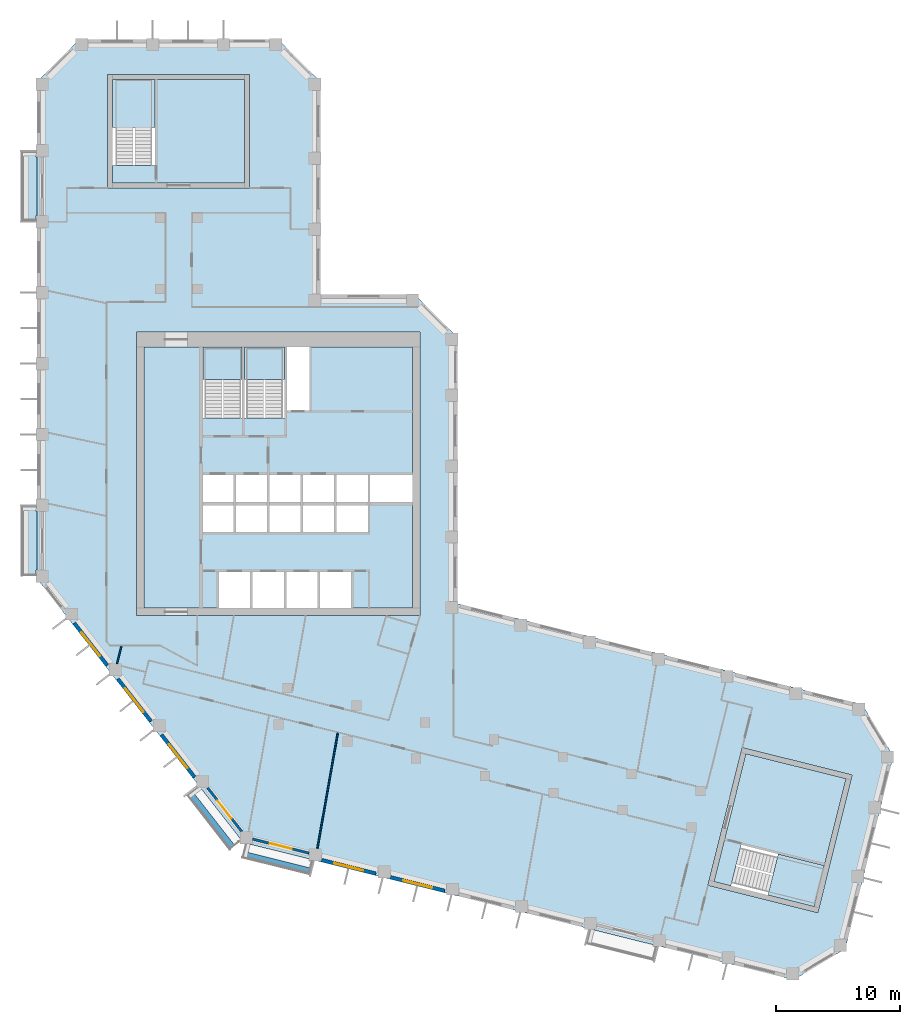
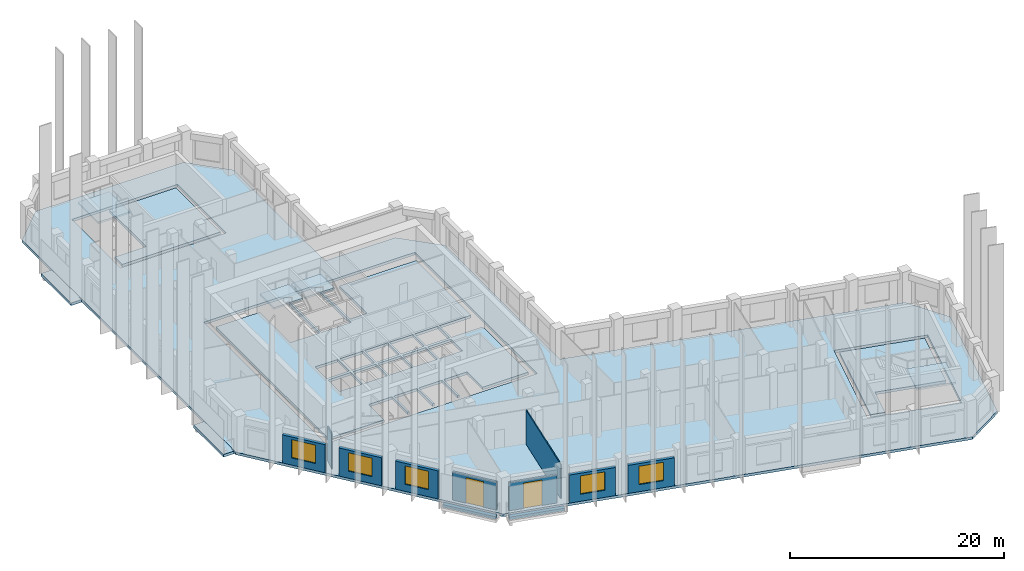
# One storey, part 2 of 9: 11 walls, 10 slabs, 5 windows, 2 doors, 7 openings, 4 elements without a shape of their own.
"""IFC4 building model written with IfcOpenShell, lengths in metres."""

from ifc_helpers import new_model, si_unit, direction, frame, frame_2d, origin, place, context, subcontext, project, spatial, polyline, rectangle, outline, extrude, material, layer, layer_set, type_object, element, fill, aggregate, save


model = new_model("IFC4")

# Units and contexts
model_context = context("Model", 3, precision=1e-05, world=origin(), true_north=direction((0.0, 1.0)))
body_context = subcontext(model_context, "Body", "Model", "MODEL_VIEW")
ifc_project = project(units=[si_unit("LENGTHUNIT", "METRE"), si_unit("AREAUNIT", "SQUARE_METRE"), si_unit("VOLUMEUNIT", "CUBIC_METRE"), si_unit("PLANEANGLEUNIT", "RADIAN"), si_unit("MASSUNIT", "GRAM", prefix="KILO")], contexts=[model_context])

# Site, building, storey
site_placement = place(None, origin())
site = spatial("IfcSite", under=ifc_project, at=site_placement, CompositionType="ELEMENT")
building_placement = place(site_placement, origin())
building = spatial("IfcBuilding", under=site, at=building_placement, Name="Meshkara Civic Tower", CompositionType="ELEMENT")
storey_placement = place(building_placement, frame((0.0, 0.0, 289.800048828125)))
storey = spatial("IfcBuildingStorey", under=building, at=storey_placement, Name="L66", CompositionType="ELEMENT", Elevation=289.800048828125)

# Slabs
ifc_material_1 = material(Name="Concrete C40", Category="concrete")
ifc_layer_1 = layer(ifc_material_1, 0.300048828125)
ifc_layer_set_1 = layer_set([ifc_layer_1], Name="BALCONY SLAB")
slab_type_1 = type_object("IfcSlabType", Name="BALCONY SLAB", PredefinedType="FLOOR", material=ifc_layer_set_1)
slab_1_placement = place(storey_placement, frame((0.0, 0.0, -0.300048828125)))
element("IfcSlab", 1, at=slab_1_placement, inside=storey, type_object=slab_type_1, Name="Balcony slab", PredefinedType="FLOOR", context=body_context, shape_type="SweptSolid", body=[
    extrude(outline(polyline([(-1.199951171875, 45.81494140625), (-1.199951171875, 51.39501953125), (-0.050048828125, 51.39501953125), (-0.050048828125, 50.955078125), (0.0, 50.955078125), (0.0, 46.2548828125), (-0.050048828125, 46.2548828125), (-0.050048828125, 45.81494140625), (-1.199951171875, 45.81494140625)])), origin(), (0.0, 0.0, 1.0), 0.300048828125),
])
slab_2_placement = place(storey_placement, frame((0.0, 0.0, -0.300048828125)))
element("IfcSlab", 2, at=slab_2_placement, inside=storey, type_object=slab_type_1, Name="Balcony slab", PredefinedType="FLOOR", context=body_context, shape_type="SweptSolid", body=[
    extrude(outline(polyline([(-1.199951171875, 17.31494140625), (-1.199951171875, 22.89501953125), (-0.050048828125, 22.89501953125), (-0.050048828125, 22.455078125), (0.0, 22.455078125), (0.0, 17.7548828125), (-0.050048828125, 17.7548828125), (-0.050048828125, 17.31494140625), (-1.199951171875, 17.31494140625)])), origin(), (0.0, 0.0, 1.0), 0.300048828125),
])
ifc_material_2 = material(Name="Concrete C40/50", Category="concrete")
ifc_layer_2 = layer(ifc_material_2, 0.300048828125)
ifc_layer_set_2 = layer_set([ifc_layer_2], Name="Core floor slab 300 C40/50")
slab_type_2 = type_object("IfcSlabType", Name="Core floor slab 300 C40/50", PredefinedType="FLOOR", material=ifc_layer_set_2)
slab_3_placement = place(storey_placement, frame((0.0, 0.0, -0.300048828125)))
element("IfcSlab", 3, at=slab_3_placement, inside=storey, type_object=slab_type_2, Name="Core floor K", PredefinedType="FLOOR", context=body_context, shape_type="SweptSolid", body=[
    extrude(outline(polyline([(8.60009765625, 35.699951171875), (13.35009765625, 35.699951171875), (13.35009765625, 30.00146484375), (16.5, 30.00146484375), (16.5, 35.699951171875), (16.699951171875, 35.699951171875), (16.699951171875, 30.00146484375), (19.89990234375, 30.00146484375), (19.89990234375, 35.699951171875), (20.10009765625, 35.699951171875), (20.10009765625, 30.574951171875), (21.925048828125, 30.574951171875), (21.925048828125, 35.699951171875), (30.199951171875, 35.699951171875), (30.199951171875, 25.39990234375), (26.800048828125, 25.39990234375), (26.800048828125, 23.25), (30.199951171875, 23.25), (30.199951171875, 14.699951171875), (25.25, 14.699951171875), (25.25, 17.60009765625), (22.75, 17.60009765625), (22.75, 14.699951171875), (22.550048828125, 14.699951171875), (22.550048828125, 17.60009765625), (20.050048828125, 17.60009765625), (20.050048828125, 14.699951171875), (19.85009765625, 14.699951171875), (19.85009765625, 17.60009765625), (17.35009765625, 17.60009765625), (17.35009765625, 14.699951171875), (17.14990234375, 14.699951171875), (17.14990234375, 17.60009765625), (14.64990234375, 17.60009765625), (14.64990234375, 14.699951171875), (8.60009765625, 14.699951171875), (8.60009765625, 35.699951171875)]), holes=[polyline([(15.800048828125, 20.800048828125), (15.800048828125, 22.949951171875), (13.35009765625, 22.949951171875), (13.35009765625, 20.800048828125), (15.800048828125, 20.800048828125)]), polyline([(16.0, 22.949951171875), (16.0, 20.800048828125), (18.5, 20.800048828125), (18.5, 22.949951171875), (16.0, 22.949951171875)]), polyline([(18.699951171875, 22.949951171875), (18.699951171875, 20.800048828125), (21.199951171875, 20.800048828125), (21.199951171875, 22.949951171875), (18.699951171875, 22.949951171875)]), polyline([(15.800048828125, 23.25), (15.800048828125, 25.39990234375), (13.35009765625, 25.39990234375), (13.35009765625, 23.25), (15.800048828125, 23.25)]), polyline([(16.0, 25.39990234375), (16.0, 23.25), (18.5, 23.25), (18.5, 25.39990234375), (16.0, 25.39990234375)]), polyline([(21.39990234375, 20.800048828125), (23.89990234375, 20.800048828125), (23.89990234375, 22.949951171875), (21.39990234375, 22.949951171875), (21.39990234375, 20.800048828125)]), polyline([(24.10009765625, 20.800048828125), (26.60009765625, 20.800048828125), (26.60009765625, 22.949951171875), (24.10009765625, 22.949951171875), (24.10009765625, 20.800048828125)]), polyline([(18.699951171875, 25.39990234375), (18.699951171875, 23.25), (21.199951171875, 23.25), (21.199951171875, 25.39990234375), (18.699951171875, 25.39990234375)]), polyline([(21.39990234375, 23.25), (23.89990234375, 23.25), (23.89990234375, 25.39990234375), (21.39990234375, 25.39990234375), (21.39990234375, 23.25)]), polyline([(26.60009765625, 23.25), (26.60009765625, 25.39990234375), (24.10009765625, 25.39990234375), (24.10009765625, 23.25), (26.60009765625, 23.25)])]), origin(), (0.0, 0.0, 1.0), 0.300048828125),
])
slab_4_placement = place(storey_placement, frame((0.0, 0.0, -0.300048828125)))
element("IfcSlab", 4, at=slab_4_placement, inside=storey, type_object=slab_type_2, Name="Core floor EA", PredefinedType="FLOOR", context=body_context, shape_type="SweptSolid", body=[
    extrude(outline(polyline([(16.699951171875, 48.8701171875), (16.699951171875, 57.169921875), (9.5, 57.169921875), (9.5, 50.271484375), (6.10009765625, 50.271484375), (6.10009765625, 48.8701171875), (16.699951171875, 48.8701171875)])), origin(), (0.0, 0.0, 1.0), 0.300048828125),
])
slab_5_placement = place(storey_placement, frame((0.0, 0.0, -0.300048828125)))
element("IfcSlab", 5, at=slab_5_placement, inside=storey, type_object=slab_type_2, Name="Core floor EB", PredefinedType="FLOOR", context=body_context, shape_type="SweptSolid", body=[
    extrude(outline(polyline([(56.989013671875, 3.002197265625), (65.04248046875, 0.994384765625), (63.30078125, -5.99169921875), (56.607177734375, -4.322998046875), (55.78466796875, -7.621826171875), (54.4248046875, -7.282958984375), (56.989013671875, 3.002197265625)])), origin(), (0.0, 0.0, 1.0), 0.300048828125),
])

# Stair, slab
ifc_material_3 = material(Name="Precast concrete C40/50", Category="concrete")
stair_type = type_object("IfcStairType", Name="Exit stair half-turn 24 risers precast", PredefinedType="HALF_TURN_STAIR", material=ifc_material_3)
stair_1_placement = place(storey_placement, origin())
stair_1 = element("IfcStair", 6, at=stair_1_placement, inside=storey, type_object=stair_type, Name="L66 exit stair 1", PredefinedType="HALF_TURN_STAIR")
ifc_material_4 = material(Name="Precast concrete C40/50", Category="concrete")
ifc_layer_3 = layer(ifc_material_4, 0.199951171875)
ifc_layer_set_3 = layer_set([ifc_layer_3], Name="Exit stair landing 200")
slab_type_3 = type_object("IfcSlabType", Name="Exit stair landing 200", PredefinedType="LANDING", material=ifc_layer_set_3)
slab_6_placement = place(storey_placement, frame((0.0, 0.0, 1.89990234375)))
slab_6 = element("IfcSlab", 7, at=slab_6_placement, type_object=slab_type_3, Name="ST1 landing 1", PredefinedType="LANDING", context=body_context, shape_type="SweptSolid", body=[
    extrude(outline(polyline([(16.5, 33.07861328125), (16.5, 35.699951171875), (13.35009765625, 35.699951171875), (13.35009765625, 33.07861328125), (16.5, 33.07861328125)])), origin(), (0.0, 0.0, 1.0), 0.199951171875),
])
aggregate(stair_1, [slab_6])

stair_2_placement = place(storey_placement, origin())
stair_2 = element("IfcStair", 8, at=stair_2_placement, inside=storey, type_object=stair_type, Name="L66 exit stair 2", PredefinedType="HALF_TURN_STAIR")
slab_7_placement = place(storey_placement, frame((0.0, 0.0, 1.89990234375)))
slab_7 = element("IfcSlab", 9, at=slab_7_placement, type_object=slab_type_3, Name="ST2 landing 1", PredefinedType="LANDING", context=body_context, shape_type="SweptSolid", body=[
    extrude(outline(polyline([(19.89990234375, 33.07861328125), (19.89990234375, 35.699951171875), (16.699951171875, 35.699951171875), (16.699951171875, 33.07861328125), (19.89990234375, 33.07861328125)])), origin(), (0.0, 0.0, 1.0), 0.199951171875),
])
aggregate(stair_2, [slab_7])

stair_3_placement = place(storey_placement, origin())
stair_3 = element("IfcStair", 10, at=stair_3_placement, inside=storey, type_object=stair_type, Name="L66 exit stair A from L65", PredefinedType="HALF_TURN_STAIR")
slab_8_placement = place(storey_placement, frame((0.0, 0.0, 1.89990234375)))
slab_8 = element("IfcSlab", 11, at=slab_8_placement, type_object=slab_type_3, Name="ESA5 landing 1", PredefinedType="LANDING", context=body_context, shape_type="SweptSolid", body=[
    extrude(outline(polyline([(9.5, 53.348388671875), (9.5, 57.169921875), (6.10009765625, 57.169921875), (6.10009765625, 53.348388671875), (9.5, 53.348388671875)])), origin(), (0.0, 0.0, 1.0), 0.199951171875),
])
aggregate(stair_3, [slab_8])

stair_4_placement = place(storey_placement, origin())
stair_4 = element("IfcStair", 12, at=stair_4_placement, inside=storey, type_object=stair_type, Name="L66 exit stair B from L65", PredefinedType="HALF_TURN_STAIR")
slab_9_placement = place(storey_placement, frame((0.0, 0.0, 1.89990234375)))
slab_9 = element("IfcSlab", 13, at=slab_9_placement, type_object=slab_type_3, Name="ESB5 landing 1", PredefinedType="LANDING", context=body_context, shape_type="SweptSolid", body=[
    extrude(outline(polyline([(58.769775390625, -8.366943359375), (62.477783203125, -9.2919921875), (63.301025390625, -5.991943359375), (59.593017578125, -5.06689453125), (58.769775390625, -8.366943359375)])), origin(), (0.0, 0.0, 1.0), 0.199951171875),
])
aggregate(stair_4, [slab_9])

# Slab
ifc_material_5 = material(Name="Concrete C50", Category="concrete")
ifc_layer_4 = layer(ifc_material_5, 0.300048828125)
ifc_layer_set_4 = layer_set([ifc_layer_4], Name="Post-tensioned flat slab 300 C50")
slab_type_4 = type_object("IfcSlabType", Name="Post-tensioned flat slab 300 C50", PredefinedType="FLOOR", material=ifc_layer_set_4)
slab_10_placement = place(storey_placement, frame((0.0, 0.0, -0.300048828125)))
element("IfcSlab", 14, at=slab_10_placement, inside=storey, type_object=slab_type_4, Name="Post-tensioned flat slab L66", PredefinedType="FLOOR", context=body_context, shape_type="SweptSolid", body=[
    extrude(outline(polyline([(64.98291015625, -12.677001953125), (60.837890625, -15.1689453125), (16.592041015625, -4.136962890625), (0.0, 17.10009765625), (0.0, 57.0), (3.419921875, 60.419921875), (19.3798828125, 60.419921875), (22.800048828125, 57.0), (22.800048828125, 39.89990234375), (30.3798828125, 39.89990234375), (33.800048828125, 36.47998046875), (33.800048828125, 15.071044921875), (66.35302734375, 6.9541015625), (68.843994140625, 2.80810546875), (64.98291015625, -12.677001953125)]), holes=[polyline([(62.77001953125, -9.77587890625), (65.527099609375, 1.285888671875), (56.697998046875, 3.487060546875), (53.93994140625, -7.573974609375), (62.77001953125, -9.77587890625)]), polyline([(8.0, 14.10009765625), (30.800048828125, 14.10009765625), (30.800048828125, 36.89990234375), (8.0, 36.89990234375), (8.0, 14.10009765625)]), polyline([(5.699951171875, 57.570068359375), (5.699951171875, 48.469970703125), (17.10009765625, 48.469970703125), (17.10009765625, 57.570068359375), (5.699951171875, 57.570068359375)])]), origin(), (0.0, 0.0, 1.0), 0.300048828125),
])

# Wall, opening, window
ifc_material_6 = material(Name="Insulated infill panel with bronze anodised aluminium cladding", Category="aluminium")
ifc_layer_5 = layer(ifc_material_6, 0.300048828125)
ifc_layer_set_5 = layer_set([ifc_layer_5], Name="EXTERNAL INFILL WALL 300")
wall_type_1 = type_object("IfcWallType", Name="EXTERNAL INFILL WALL 300", PredefinedType="SOLIDWALL", material=ifc_layer_set_5)
wall_1_placement = place(storey_placement, frame((3.010009765625, 13.490966796875, 0.0), z_axis=(0.0, 0.0, 1.0), x_axis=(0.615713519567, -0.787970089421, 0.0)))
wall_1 = element("IfcWall", 15, at=wall_1_placement, inside=storey, type_object=wall_type_1, Name="External wall", PredefinedType="SOLIDWALL", context=body_context, shape_type="SweptSolid", body=[
    extrude(rectangle(XDim=4.2958984375, YDim=0.300048828125, at=frame_2d((2.14794921875, 0.0))), origin(), (0.0, 0.0, 1.0), 3.199951171875),
])
opening_1_placement = place(wall_1_placement, frame((0.947998046875, 0.0, 0.800048828125)))
opening_1 = element("IfcOpeningElement", 16, at=opening_1_placement, cuts=wall_1, Name="Opening W7", PredefinedType="OPENING", context=body_context, shape_type="SweptSolid", body=[
    extrude(rectangle(XDim=2.39990234375, YDim=2.10009765625, at=frame_2d((1.199951171875, 1.050048828125))), frame((0.0, 0.159912109375, 0.0), z_axis=(0.0, -1.0, 0.0), x_axis=(1.0, 0.0, 0.0)), (0.0, 0.0, 1.0), 0.320068359375),
])
ifc_material_7 = material(Name="Tinted double glazing", Category="glass")
window_type = type_object("IfcWindowType", Name="WINDOW 2400x2100", PartitioningType="DOUBLE_PANEL_VERTICAL", PredefinedType="WINDOW", material=ifc_material_7)
window_1_placement = place(opening_1_placement, origin())
window_1 = element("IfcWindow", 17, at=window_1_placement, inside=storey, type_object=window_type, Name="Window", OverallHeight=2.10009765625, OverallWidth=2.39990234375, PartitioningType="DOUBLE_PANEL_VERTICAL", PredefinedType="WINDOW", context=body_context, shape_type="SweptSolid", body=[
    extrude(rectangle(XDim=2.39990234375, YDim=2.10009765625, at=frame_2d((1.199951171875, 1.050048828125))), frame((0.0, 0.030029296875, 0.0), z_axis=(0.0, -1.0, 0.0), x_axis=(1.0, 0.0, 0.0)), (0.0, 0.0, 1.0), 0.06005859375),
])
fill(opening_1, window_1)

wall_2_placement = place(storey_placement, frame((6.51904296875, 9.0, 0.0), z_axis=(0.0, 0.0, 1.0), x_axis=(0.615634121154, -0.788032124263, 0.0)))
wall_2 = element("IfcWall", 18, at=wall_2_placement, inside=storey, type_object=wall_type_1, Name="External wall", PredefinedType="SOLIDWALL", context=body_context, shape_type="SweptSolid", body=[
    extrude(rectangle(XDim=4.298095703125, YDim=0.300048828125, at=frame_2d((2.14892578125, 0.0))), origin(), (0.0, 0.0, 1.0), 3.199951171875),
])
opening_2_placement = place(wall_2_placement, frame((0.948974609375, 0.0, 0.800048828125)))
opening_2 = element("IfcOpeningElement", 19, at=opening_2_placement, cuts=wall_2, Name="Opening W7", PredefinedType="OPENING", context=body_context, shape_type="SweptSolid", body=[
    extrude(rectangle(XDim=2.39990234375, YDim=2.10009765625, at=frame_2d((1.199951171875, 1.050048828125))), frame((0.0, 0.159912109375, 0.0), z_axis=(0.0, -1.0, 0.0), x_axis=(1.0, 0.0, 0.0)), (0.0, 0.0, 1.0), 0.320068359375),
])
window_2_placement = place(opening_2_placement, origin())
window_2 = element("IfcWindow", 20, at=window_2_placement, inside=storey, type_object=window_type, Name="Window", OverallHeight=2.10009765625, OverallWidth=2.39990234375, PartitioningType="DOUBLE_PANEL_VERTICAL", PredefinedType="WINDOW", context=body_context, shape_type="SweptSolid", body=[
    extrude(rectangle(XDim=2.39990234375, YDim=2.10009765625, at=frame_2d((1.199951171875, 1.050048828125))), frame((0.0, 0.030029296875, 0.0), z_axis=(0.0, -1.0, 0.0), x_axis=(1.0, 0.0, 0.0)), (0.0, 0.0, 1.0), 0.06005859375),
])
fill(opening_2, window_2)

wall_3_placement = place(storey_placement, frame((10.029052734375, 4.507080078125, 0.0), z_axis=(0.0, 0.0, 1.0), x_axis=(0.615572343689, -0.788080382756, 0.0)))
wall_3 = element("IfcWall", 21, at=wall_3_placement, inside=storey, type_object=wall_type_1, Name="External wall", PredefinedType="SOLIDWALL", context=body_context, shape_type="SweptSolid", body=[
    extrude(rectangle(XDim=4.295166015625, YDim=0.300048828125, at=frame_2d((2.1474609375, 0.0))), origin(), (0.0, 0.0, 1.0), 3.199951171875),
])
opening_3_placement = place(wall_3_placement, frame((0.947998046875, 0.0, 0.800048828125)))
opening_3 = element("IfcOpeningElement", 22, at=opening_3_placement, cuts=wall_3, Name="Opening W7", PredefinedType="OPENING", context=body_context, shape_type="SweptSolid", body=[
    extrude(rectangle(XDim=2.39990234375, YDim=2.10009765625, at=frame_2d((1.199951171875, 1.050048828125))), frame((0.0, 0.159912109375, 0.0), z_axis=(0.0, -1.0, 0.0), x_axis=(1.0, 0.0, 0.0)), (0.0, 0.0, 1.0), 0.320068359375),
])
window_3_placement = place(opening_3_placement, origin())
window_3 = element("IfcWindow", 23, at=window_3_placement, inside=storey, type_object=window_type, Name="Window", OverallHeight=2.10009765625, OverallWidth=2.39990234375, PartitioningType="DOUBLE_PANEL_VERTICAL", PredefinedType="WINDOW", context=body_context, shape_type="SweptSolid", body=[
    extrude(rectangle(XDim=2.39990234375, YDim=2.10009765625, at=frame_2d((1.199951171875, 1.050048828125))), frame((0.0, 0.030029296875, 0.0), z_axis=(0.0, -1.0, 0.0), x_axis=(1.0, 0.0, 0.0)), (0.0, 0.0, 1.0), 0.06005859375),
])
fill(opening_3, window_3)

wall_4_placement = place(storey_placement, frame((22.89794921875, -5.554931640625, 0.0), z_axis=(0.0, 0.0, 1.0), x_axis=(0.970315118421, -0.24184410467, 0.0)))
wall_4 = element("IfcWall", 24, at=wall_4_placement, inside=storey, type_object=wall_type_1, Name="External wall", PredefinedType="SOLIDWALL", context=body_context, shape_type="SweptSolid", body=[
    extrude(rectangle(XDim=4.486083984375, YDim=0.300048828125, at=frame_2d((2.2431640625, 0.0))), origin(), (0.0, 0.0, 1.0), 3.199951171875),
])
opening_4_placement = place(wall_4_placement, frame((1.0439453125, 0.0, 0.800048828125)))
opening_4 = element("IfcOpeningElement", 25, at=opening_4_placement, cuts=wall_4, Name="Opening W7", PredefinedType="OPENING", context=body_context, shape_type="SweptSolid", body=[
    extrude(rectangle(XDim=2.39990234375, YDim=2.10009765625, at=frame_2d((1.199951171875, 1.050048828125))), frame((0.0, 0.159912109375, 0.0), z_axis=(0.0, -1.0, 0.0), x_axis=(1.0, 0.0, 0.0)), (0.0, 0.0, 1.0), 0.320068359375),
])
window_4_placement = place(opening_4_placement, origin())
window_4 = element("IfcWindow", 26, at=window_4_placement, inside=storey, type_object=window_type, Name="Window", OverallHeight=2.10009765625, OverallWidth=2.39990234375, PartitioningType="DOUBLE_PANEL_VERTICAL", PredefinedType="WINDOW", context=body_context, shape_type="SweptSolid", body=[
    extrude(rectangle(XDim=2.39990234375, YDim=2.10009765625, at=frame_2d((1.199951171875, 1.050048828125))), frame((0.0, 0.030029296875, 0.0), z_axis=(0.0, -1.0, 0.0), x_axis=(1.0, 0.0, 0.0)), (0.0, 0.0, 1.0), 0.06005859375),
])
fill(opening_4, window_4)

wall_5_placement = place(storey_placement, frame((28.427978515625, -6.93310546875, 0.0), z_axis=(0.0, 0.0, 1.0), x_axis=(0.970276766004, -0.241997928406, 0.0)))
wall_5 = element("IfcWall", 27, at=wall_5_placement, inside=storey, type_object=wall_type_1, Name="External wall", PredefinedType="SOLIDWALL", context=body_context, shape_type="SweptSolid", body=[
    extrude(rectangle(XDim=4.4873046875, YDim=0.300048828125, at=frame_2d((2.24365234375, 0.0))), origin(), (0.0, 0.0, 1.0), 3.199951171875),
])
opening_5_placement = place(wall_5_placement, frame((1.0439453125, 0.0, 0.800048828125)))
opening_5 = element("IfcOpeningElement", 28, at=opening_5_placement, cuts=wall_5, Name="Opening W7", PredefinedType="OPENING", context=body_context, shape_type="SweptSolid", body=[
    extrude(rectangle(XDim=2.39990234375, YDim=2.10009765625, at=frame_2d((1.199951171875, 1.050048828125))), frame((0.0, 0.159912109375, 0.0), z_axis=(0.0, -1.0, 0.0), x_axis=(1.0, 0.0, 0.0)), (0.0, 0.0, 1.0), 0.320068359375),
])
window_5_placement = place(opening_5_placement, origin())
window_5 = element("IfcWindow", 29, at=window_5_placement, inside=storey, type_object=window_type, Name="Window", OverallHeight=2.10009765625, OverallWidth=2.39990234375, PartitioningType="DOUBLE_PANEL_VERTICAL", PredefinedType="WINDOW", context=body_context, shape_type="SweptSolid", body=[
    extrude(rectangle(XDim=2.39990234375, YDim=2.10009765625, at=frame_2d((1.199951171875, 1.050048828125))), frame((0.0, 0.030029296875, 0.0), z_axis=(0.0, -1.0, 0.0), x_axis=(1.0, 0.0, 0.0)), (0.0, 0.0, 1.0), 0.06005859375),
])
fill(opening_5, window_5)

# Wall, opening, door
ifc_material_8 = material(Name="Insulated infill panel with bronze anodised aluminium cladding", Category="aluminium")
ifc_layer_6 = layer(ifc_material_8, 0.199951171875)
ifc_layer_set_6 = layer_set([ifc_layer_6], Name="LOGGIA BACK WALL 200")
wall_type_2 = type_object("IfcWallType", Name="LOGGIA BACK WALL 200", PredefinedType="SOLIDWALL", material=ifc_layer_set_6)
wall_6_placement = place(storey_placement, frame((13.73291015625, 0.25390625, 0.0), z_axis=(0.0, 0.0, 1.0), x_axis=(0.615499674676, -0.788137139382, 0.0)))
wall_6 = element("IfcWall", 30, at=wall_6_placement, inside=storey, type_object=wall_type_2, Name="Loggia wall", PredefinedType="SOLIDWALL", context=body_context, shape_type="SweptSolid", body=[
    extrude(rectangle(XDim=4.4306640625, YDim=0.199951171875, at=frame_2d((2.21533203125, 0.0))), origin(), (0.0, 0.0, 1.0), 3.199951171875),
])
opening_6_placement = place(wall_6_placement, frame((1.31494140625, 0.0, 0.0)))
opening_6 = element("IfcOpeningElement", 31, at=opening_6_placement, cuts=wall_6, Name="Opening L66-L003", PredefinedType="OPENING", context=body_context, shape_type="SweptSolid", body=[
    extrude(rectangle(XDim=1.800048828125, YDim=2.89990234375, at=frame_2d((0.89990234375, 1.449951171875))), frame((0.0, 0.10986328125, 0.0), z_axis=(0.0, -1.0, 0.0), x_axis=(1.0, 0.0, 0.0)), (0.0, 0.0, 1.0), 0.219970703125),
])
ifc_material_9 = material(Name="Tinted double glazing", Category="glass")
door_type = type_object("IfcDoorType", Name="LOGGIA DOOR 1800x2900", OperationType="DOUBLE_DOOR_SINGLE_SWING", PredefinedType="DOOR", material=ifc_material_9)
door_1_placement = place(opening_6_placement, origin())
door_1 = element("IfcDoor", 32, at=door_1_placement, inside=storey, type_object=door_type, Name="L66-L003", OperationType="DOUBLE_DOOR_SINGLE_SWING", OverallHeight=2.89990234375, OverallWidth=1.800048828125, PredefinedType="DOOR", context=body_context, shape_type="SweptSolid", body=[
    extrude(rectangle(XDim=1.800048828125, YDim=2.89990234375, at=frame_2d((0.89990234375, 1.449951171875))), frame((0.0, 0.02490234375, 0.0), z_axis=(0.0, -1.0, 0.0), x_axis=(1.0, 0.0, 0.0)), (0.0, 0.0, 1.0), 0.050048828125),
])
fill(opening_6, door_1)

wall_7_placement = place(storey_placement, frame((17.35107421875, -3.863037109375, 0.0), z_axis=(0.0, 0.0, 1.0), x_axis=(0.970335948358, -0.241760516472, 0.0)))
wall_7 = element("IfcWall", 33, at=wall_7_placement, inside=storey, type_object=wall_type_2, Name="Loggia wall", PredefinedType="SOLIDWALL", context=body_context, shape_type="SweptSolid", body=[
    extrude(rectangle(XDim=4.66943359375, YDim=0.199951171875, at=frame_2d((2.334716796875, 0.0))), origin(), (0.0, 0.0, 1.0), 3.199951171875),
])
opening_7_placement = place(wall_7_placement, frame((1.43408203125, 0.0, 0.0)))
opening_7 = element("IfcOpeningElement", 34, at=opening_7_placement, cuts=wall_7, Name="Opening L66-L004", PredefinedType="OPENING", context=body_context, shape_type="SweptSolid", body=[
    extrude(rectangle(XDim=1.800048828125, YDim=2.89990234375, at=frame_2d((0.89990234375, 1.449951171875))), frame((0.0, 0.10986328125, 0.0), z_axis=(0.0, -1.0, 0.0), x_axis=(1.0, 0.0, 0.0)), (0.0, 0.0, 1.0), 0.219970703125),
])
door_2_placement = place(opening_7_placement, origin())
door_2 = element("IfcDoor", 35, at=door_2_placement, inside=storey, type_object=door_type, Name="L66-L004", OperationType="DOUBLE_DOOR_SINGLE_SWING", OverallHeight=2.89990234375, OverallWidth=1.800048828125, PredefinedType="DOOR", context=body_context, shape_type="SweptSolid", body=[
    extrude(rectangle(XDim=1.800048828125, YDim=2.89990234375, at=frame_2d((0.89990234375, 1.449951171875))), frame((0.0, 0.02490234375, 0.0), z_axis=(0.0, -1.0, 0.0), x_axis=(1.0, 0.0, 0.0)), (0.0, 0.0, 1.0), 0.050048828125),
])
fill(opening_7, door_2)

# Walls
ifc_material_10 = material(Name="Concrete C40", Category="concrete")
ifc_layer_7 = layer(ifc_material_10, 0.39990234375)
ifc_layer_set_7 = layer_set([ifc_layer_7], Name="PLANTER TRAY")
wall_type_3 = type_object("IfcWallType", Name="PLANTER TRAY", PredefinedType="SOLIDWALL", material=ifc_layer_set_7)
wall_8_placement = place(storey_placement, frame((12.39794921875, -0.198974609375, 0.0), z_axis=(0.0, 0.0, 1.0), x_axis=(0.615638738903, -0.788028516719, 0.0)))
element("IfcWall", 36, at=wall_8_placement, inside=storey, type_object=wall_type_3, Name="Planter", PredefinedType="SOLIDWALL", context=body_context, shape_type="SweptSolid", body=[
    extrude(rectangle(XDim=5.3603515625, YDim=0.39990234375, at=frame_2d((2.68017578125, 0.0))), origin(), (0.0, 0.0, 1.0), 0.300048828125),
])
wall_9_placement = place(storey_placement, frame((16.694091796875, -5.069091796875, 0.0), z_axis=(0.0, 0.0, 1.0), x_axis=(0.970289679319, -0.241946147329, 0.0)))
element("IfcWall", 37, at=wall_9_placement, inside=storey, type_object=wall_type_3, Name="Planter", PredefinedType="SOLIDWALL", context=body_context, shape_type="SweptSolid", body=[
    extrude(rectangle(XDim=5.360107421875, YDim=0.39990234375, at=frame_2d((2.68017578125, 0.0))), origin(), (0.0, 0.0, 1.0), 0.300048828125),
])
ifc_material_11 = material(Name="Partition 100")
ifc_layer_8 = layer(ifc_material_11, 0.10009765625)
ifc_layer_set_8 = layer_set([ifc_layer_8], Name="Partition 100")
wall_type_4 = type_object("IfcWallType", Name="Partition 100", PredefinedType="PARTITIONING", material=ifc_layer_set_8)
wall_10_placement = place(storey_placement, frame((6.797119140625, 11.637939453125, 0.0), z_axis=(0.0, 0.0, 1.0), x_axis=(-0.242456058691, -0.970162388265, 0.0)))
element("IfcWall", 38, at=wall_10_placement, inside=storey, type_object=wall_type_4, Name="L66-W039", PredefinedType="PARTITIONING", context=body_context, shape_type="SweptSolid", body=[
    extrude(rectangle(XDim=1.44384765625, YDim=0.10009765625, at=frame_2d((0.721923828125, 0.0))), origin(), (0.0, 0.0, 1.0), 3.89990234375),
])
wall_11_placement = place(storey_placement, frame((22.552001953125, -4.616943359375, 0.0), z_axis=(0.0, 0.0, 1.0), x_axis=(0.173625790791, 0.98481170016, 0.0)))
element("IfcWall", 39, at=wall_11_placement, inside=storey, type_object=wall_type_4, Name="L66-W046", PredefinedType="PARTITIONING", context=body_context, shape_type="SweptSolid", body=[
    extrude(rectangle(XDim=9.42822265625, YDim=0.10009765625, at=frame_2d((4.714111328125, 0.0))), origin(), (0.0, 0.0, 1.0), 3.89990234375),
])

save(model, "model.ifc")
